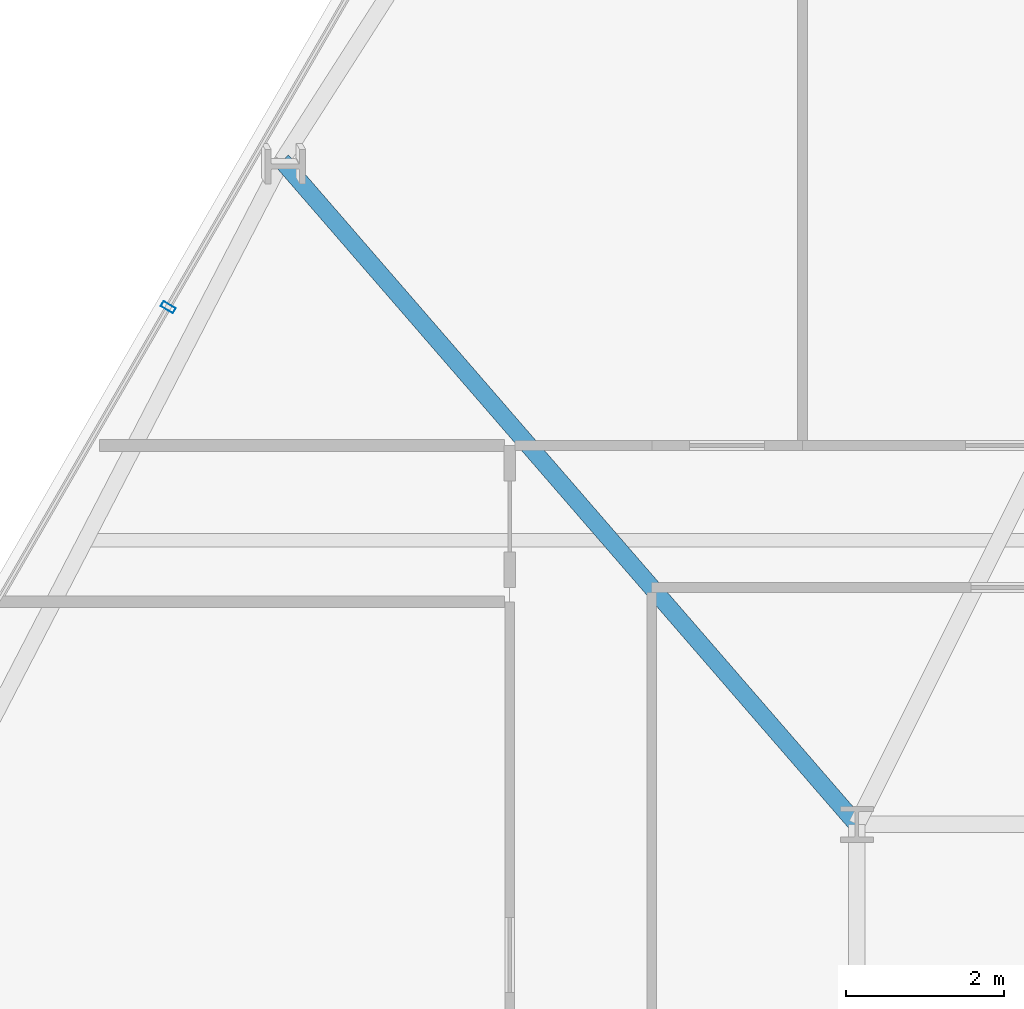
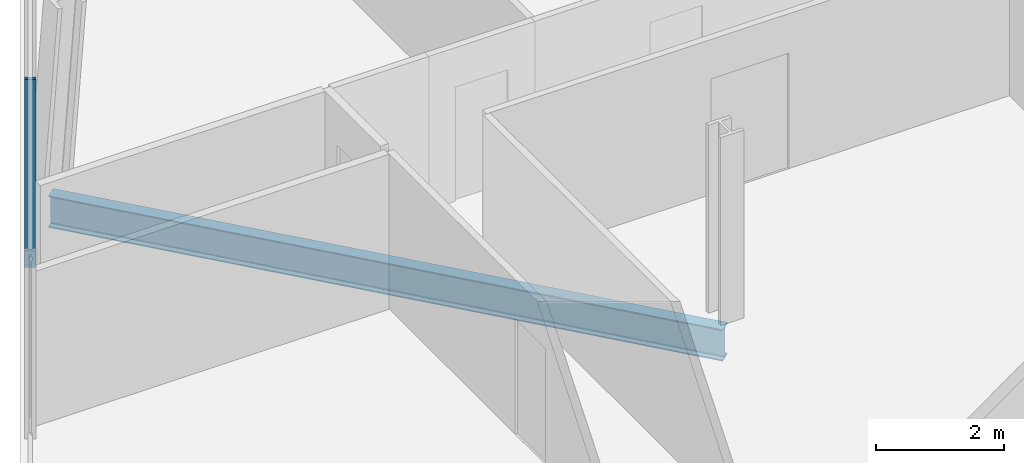
# One storey, part 12 of 33: 1 beam, 1 member, 1 element without a shape of its own.
"""IFC4 building model written with IfcOpenShell, lengths in metres."""

from ifc_helpers import new_model, si_unit, direction, frame, origin, origin_2d, place, context, subcontext, project, spatial, hollow_rectangle, i_section, extrude, material, layer, layer_set, material_profile, profile_set, type_object, element, aggregate, save


model = new_model("IFC4")

# Units and contexts
model_context = context("Model", 3, precision=1e-05, world=origin(), true_north=direction((0.0, 1.0)))
body_context = subcontext(model_context, "Body", "Model", "MODEL_VIEW")
ifc_project = project(units=[si_unit("LENGTHUNIT", "METRE"), si_unit("AREAUNIT", "SQUARE_METRE"), si_unit("VOLUMEUNIT", "CUBIC_METRE"), si_unit("PLANEANGLEUNIT", "RADIAN"), si_unit("MASSUNIT", "GRAM", prefix="KILO")], contexts=[model_context])

# Site, building, storey
site_placement = place(None, origin())
site = spatial("IfcSite", under=ifc_project, at=site_placement, CompositionType="ELEMENT")
building_placement = place(site_placement, origin())
building = spatial("IfcBuilding", under=site, at=building_placement, Name="Ndaravel Arena Tower", CompositionType="ELEMENT")
storey_placement = place(building_placement, frame((0.0, 0.0, 89.199951171875)))
storey = spatial("IfcBuildingStorey", under=building, at=storey_placement, Name="L20", CompositionType="ELEMENT", Elevation=89.199951171875)

# Beam
ifc_material_1 = material(Name="Steel S355", Category="steel")
ifc_material_profile_1 = material_profile(ifc_material_1, i_section(OverallWidth=0.219970703125, OverallDepth=0.60009765625, WebThickness=0.011962890625, FlangeThickness=0.01904296875, FilletRadius=0.02392578125, at=origin_2d()), Name="IPE 600")
ifc_profile_set_1 = profile_set([ifc_material_profile_1], Name="Steel S355")
beam_type = type_object("IfcBeamType", Name="BM-GIRD-IPE600", PredefinedType="BEAM", material=ifc_profile_set_1)
beam_placement = place(storey_placement, frame((26.912841796875, 31.61181640625, -0.52001953125), z_axis=(0.654767668006, -0.755830206418, 0.0), x_axis=(0.755830206418, 0.654767668006, 0.0)))
element("IfcBeam", 1, at=beam_placement, inside=storey, type_object=beam_type, Name="L20 Radial Floor Girder FG-19", PredefinedType="BEAM", context=body_context, shape_type="SweptSolid", body=[
    extrude(i_section(OverallWidth=0.219970703125, OverallDepth=0.60009765625, WebThickness=0.011962890625, FlangeThickness=0.01904296875, FilletRadius=0.02392578125, at=origin_2d()), origin(), (0.0, 0.0, 1.0), 11.12939453125),
])

# Curtain wall, member
ifc_material_2 = material(Name="Aluminium", Category="aluminium")
ifc_layer = layer(ifc_material_2, 0.179931640625)
ifc_layer_set = layer_set([ifc_layer], Name="Aluminium")
curtain_wall_type = type_object("IfcCurtainWallType", Name="CW-SYS-03", PredefinedType="NOTDEFINED", material=ifc_layer_set)
curtain_wall_placement = place(storey_placement, origin())
curtain_wall = element("IfcCurtainWall", 2, at=curtain_wall_placement, inside=storey, type_object=curtain_wall_type, Name="L20 Faceted Crystal Curtain Wall CW-L20-E05", PredefinedType="NOTDEFINED")
ifc_material_3 = material(Name="Aluminium", Category="aluminium")
ifc_material_profile_2 = material_profile(ifc_material_3, hollow_rectangle(XDim=0.074951171875, YDim=0.179931640625, WallThickness=0.00390625, at=origin_2d()), Name="CW MULLION 75x180x4")
ifc_profile_set_2 = profile_set([ifc_material_profile_2], Name="Aluminium")
member_type = type_object("IfcMemberType", Name="MEM-CW-MUL180", PredefinedType="MULLION", material=ifc_profile_set_2)
member_placement = place(storey_placement, frame((25.470703125, 29.754150390625, 0.0), z_axis=(0.0, 0.0, 1.0), x_axis=(-0.5, -0.866025403784, 0.0)))
member = element("IfcMember", 3, at=member_placement, type_object=member_type, Name="CW-L20-E05 Mullion 04", PredefinedType="MULLION", context=body_context, shape_type="SweptSolid", body=[
    extrude(hollow_rectangle(XDim=0.074951171875, YDim=0.179931640625, WallThickness=0.00390625, at=origin_2d()), origin(), (0.0, 0.0, 1.0), 3.580078125),
])
aggregate(curtain_wall, [member])

save(model, "model.ifc")
